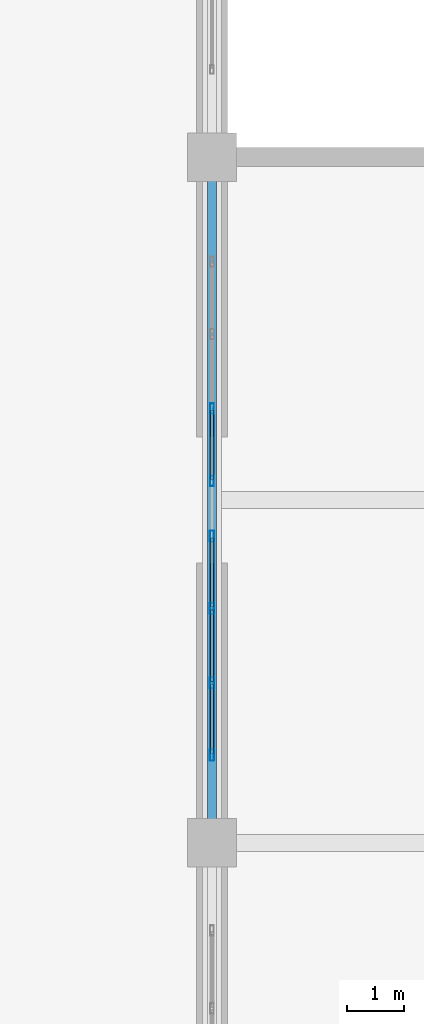
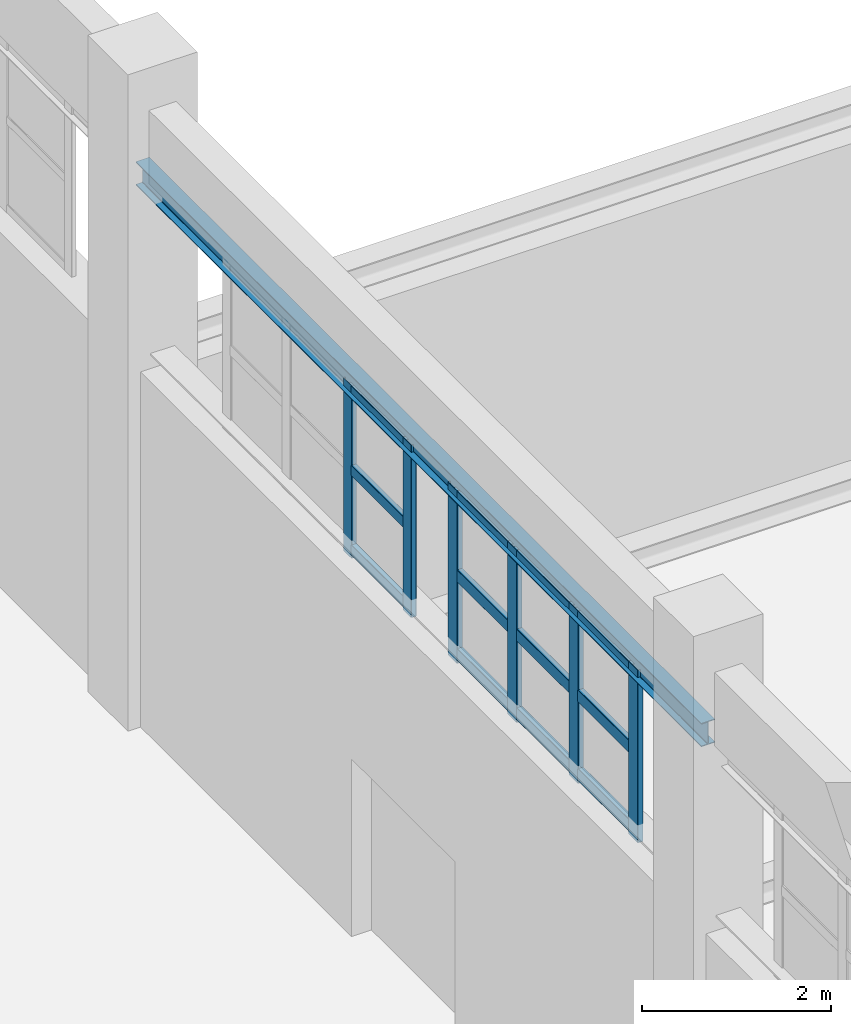
# One storey, part 55 of 97: 18 members, 1 beam, 2 elements without a shape of their own.
"""IFC4 building model written with IfcOpenShell, lengths in metres."""

import ifcopenshell
import ifcopenshell.guid

model = None  # the IFC model being written
_history = None  # IfcOwnerHistory: only IFC2X3 demands one
_inside = {}  # id of a spatial element -> (the spatial element, [elements in it])
_under = {}  # id of a project, library or spatial element -> (it, [spatial elements below it])
_declared = {}  # id of a project -> (the project, [libraries it declares])
_typed = {}  # id of a type object -> (the type object, [elements of that type])
_made_of = {}  # id of a material, layer set ... -> (it, [elements and type objects made of it])


def new_model(schema):
    """Start an empty IFC model of exactly this schema.

    Asked for "IFC4X3", IfcOpenShell would pick the latest addendum, in which some entities
    have other attributes; the version numbers below select the first issue.
    IFC2X3 requires an IfcOwnerHistory on every rooted entity: one is made here for all.
    """
    global model, _history
    if schema == "IFC4X3":
        model = ifcopenshell.file(schema_version=(4, 3, 0, 0))
    else:
        model = ifcopenshell.file(schema=schema)
    _inside.clear()
    _under.clear()
    _declared.clear()
    _typed.clear()
    _made_of.clear()
    _history = None
    if model.schema == "IFC2X3":
        org = make("IfcOrganization", Name="unknown")
        user = make(
            "IfcPersonAndOrganization",
            ThePerson=make("IfcPerson", FamilyName="unknown"),
            TheOrganization=org,
        )
        app = make(
            "IfcApplication",
            ApplicationDeveloper=org,
            Version="unknown",
            ApplicationFullName="unknown",
            ApplicationIdentifier="unknown",
        )
        _history = make(
            "IfcOwnerHistory",
            OwningUser=user,
            OwningApplication=app,
            ChangeAction="ADDED",
            CreationDate=0,
        )
    return model


def make(cls, **values):
    """One entity of the class cls with the attributes given. An attribute that is None is left unset."""
    return model.create_entity(
        cls, **{name: value for name, value in values.items() if value is not None}
    )


def rooted(cls, **values):
    """An entity with a GlobalId (a new one), such as an element, a storey or a relation."""
    return make(cls, GlobalId=ifcopenshell.guid.new(), OwnerHistory=_history, **values)


def si_unit(unit_type, name, prefix=None):
    """IfcSIUnit, for example si_unit("LENGTHUNIT", "METRE", prefix="MILLI")."""
    return make("IfcSIUnit", UnitType=unit_type, Prefix=prefix, Name=name)


def derived_unit(unit_type, elements):
    """IfcDerivedUnit: a product of units, each with its exponent."""
    return make(
        "IfcDerivedUnit",
        Elements=[
            make("IfcDerivedUnitElement", Unit=unit, Exponent=power)
            for unit, power in elements
        ],
        UnitType=unit_type,
    )


def assignment(units):
    """IfcUnitAssignment: the units of a project."""
    return None if units is None else make("IfcUnitAssignment", Units=units)


def point(xyz):
    """IfcCartesianPoint."""
    return None if xyz is None else make("IfcCartesianPoint", Coordinates=xyz)


def direction(xyz):
    """IfcDirection."""
    return None if xyz is None else make("IfcDirection", DirectionRatios=xyz)


def frame(location, z_axis=None, x_axis=None):
    """IfcAxis2Placement3D, a coordinate frame: its origin and axes. An axis left out is left unset."""
    return make(
        "IfcAxis2Placement3D",
        Location=point(location),
        Axis=direction(z_axis),
        RefDirection=direction(x_axis),
    )


def frame_2d(location, x_axis=None):
    """IfcAxis2Placement2D, a coordinate frame in the plane: its origin and x axis."""
    return make(
        "IfcAxis2Placement2D", Location=point(location), RefDirection=direction(x_axis)
    )


def origin():
    """The frame at (0, 0, 0) with its axes left unset."""
    return frame((0.0, 0.0, 0.0))


def origin_2d():
    """The frame at (0, 0) in the plane with its x axis left unset."""
    return frame_2d((0.0, 0.0))


def place(relative_to, where):
    """IfcLocalPlacement: puts the frame where relative to a parent placement (None: the world)."""
    return make(
        "IfcLocalPlacement", PlacementRelTo=relative_to, RelativePlacement=where
    )


def context(
    kind, dimensions, precision=None, world=None, true_north=None, identifier=None
):
    """IfcGeometricRepresentationContext, for example the 3D "Model" context."""
    return make(
        "IfcGeometricRepresentationContext",
        ContextIdentifier=identifier,
        ContextType=kind,
        CoordinateSpaceDimension=dimensions,
        Precision=precision,
        WorldCoordinateSystem=world,
        TrueNorth=true_north,
    )


def subcontext(parent, identifier, kind, view, scale=None):
    """IfcGeometricRepresentationSubContext, for example "Body" below "Model"."""
    return make(
        "IfcGeometricRepresentationSubContext",
        ContextIdentifier=identifier,
        ContextType=kind,
        ParentContext=parent,
        TargetScale=scale,
        TargetView=view,
    )


def project(units=None, contexts=None):
    """IfcProject with its units and contexts."""
    return rooted(
        "IfcProject",
        Name="project",
        RepresentationContexts=contexts,
        UnitsInContext=assignment(units),
    )


def spatial(cls, under=None, at=None, **own):
    """A site, building, storey or space (cls), placed at a placement, below another one or the project."""
    s = rooted(cls, ObjectPlacement=at, **own)
    if under is not None:
        _under.setdefault(under.id(), (under, []))[1].append(s)
    return s


def profile(cls, at=None, kind="AREA", **sizes):
    """A parametric profile (cls). Its sizes go by their IFC names, for example OverallWidth=200.0."""
    return make(cls, ProfileType=kind, Position=at, **sizes)


def hollow_rectangle(**sizes):
    """IfcRectangleHollowProfileDef."""
    return profile("IfcRectangleHollowProfileDef", **sizes)


def i_section(**sizes):
    """IfcIShapeProfileDef."""
    return profile("IfcIShapeProfileDef", **sizes)


def extrude(swept, where, along, depth):
    """IfcExtrudedAreaSolid: the profile swept, set in the frame where, extruded along a direction by depth."""
    return make(
        "IfcExtrudedAreaSolid",
        SweptArea=swept,
        Position=where,
        ExtrudedDirection=direction(along),
        Depth=depth,
    )


def shape(context_of_items, identifier, shape_type, items):
    """IfcShapeRepresentation: the items that make up one representation, for example the "Body"."""
    return make(
        "IfcShapeRepresentation",
        ContextOfItems=context_of_items,
        RepresentationIdentifier=identifier,
        RepresentationType=shape_type,
        Items=items,
    )


def material(Name=None, Category=None):
    """IfcMaterial."""
    return make("IfcMaterial", Name=Name, Category=Category)


def layer(
    of_material, thickness, ventilated=None, Name=None, Category=None, Priority=None
):
    """IfcMaterialLayer: one layer of a wall or slab, of a material (None: an air gap)."""
    return make(
        "IfcMaterialLayer",
        Material=of_material,
        LayerThickness=thickness,
        IsVentilated=ventilated,
        Name=Name,
        Category=Category,
        Priority=Priority,
    )


def layer_set(layers, Name=None):
    """IfcMaterialLayerSet."""
    return make("IfcMaterialLayerSet", MaterialLayers=layers, LayerSetName=Name)


def material_profile(
    of_material, cross_section, Name=None, Category=None, Priority=None
):
    """IfcMaterialProfile: a cross section and its material."""
    return make(
        "IfcMaterialProfile",
        Name=Name,
        Material=of_material,
        Profile=cross_section,
        Priority=Priority,
        Category=Category,
    )


def profile_set(profiles, Name=None, composite=None):
    """IfcMaterialProfileSet."""
    return make(
        "IfcMaterialProfileSet",
        Name=Name,
        MaterialProfiles=profiles,
        CompositeProfile=composite,
    )


def made_of(thing, what):
    """Note that an element or type object is made of a material, layer set ...; save() writes the relation."""
    if what is not None:
        _made_of.setdefault(what.id(), (what, []))[1].append(thing)
    return thing


def type_object(cls, material=None, **own):
    """A type object (cls), such as IfcWallType, which elements share."""
    return made_of(rooted(cls, **own), material)


def element(
    cls,
    number,
    at=None,
    inside=None,
    cuts=None,
    type_object=None,
    material=None,
    context=None,
    identifier="Body",
    shape_type=None,
    held_by="IfcProductDefinitionShape",
    body=None,
    shapes=None,
    **own,
):
    """One element of the class cls, such as IfcWall. Its Tag is "e" and its number.

    at: its placement. inside: the storey or other place that contains it. cuts: it is an
    opening in that element (IfcRelVoidsElement). A single representation is given by context,
    identifier, shape_type and body (its items); several are given by shapes. held_by: the class
    of the entity that holds the representations. save() writes the other relations.
    """
    e = rooted(cls, Tag="e%d" % number, ObjectPlacement=at, **own)
    if body is not None:
        shapes = [shape(context, identifier, shape_type, body)]
    if shapes is not None:
        e.Representation = make(held_by, Representations=shapes)
    if inside is not None:
        _inside.setdefault(inside.id(), (inside, []))[1].append(e)
    if cuts is not None:
        rooted(
            "IfcRelVoidsElement", RelatingBuildingElement=cuts, RelatedOpeningElement=e
        )
    if type_object is not None:
        _typed.setdefault(type_object.id(), (type_object, []))[1].append(e)
    return made_of(e, material)


def aggregate(whole, parts):
    """IfcRelAggregates: a whole, such as a stair, and the parts it consists of."""
    return rooted("IfcRelAggregates", RelatingObject=whole, RelatedObjects=parts)


def save(model, path):
    """Write the relations noted so far, then the file.

    IfcRelAggregates (storeys below a building ...), IfcRelContainedInSpatialStructure (elements
    in a storey), IfcRelDefinesByType, IfcRelAssociatesMaterial and IfcRelDeclares: one each for
    every whole, place, type object, material and project.
    """
    for whole, parts in _under.values():
        aggregate(whole, parts)
    for where, things in _inside.values():
        rooted(
            "IfcRelContainedInSpatialStructure",
            RelatedElements=things,
            RelatingStructure=where,
        )
    for kind, things in _typed.values():
        rooted("IfcRelDefinesByType", RelatedObjects=things, RelatingType=kind)
    for what, things in _made_of.values():
        rooted("IfcRelAssociatesMaterial", RelatedObjects=things, RelatingMaterial=what)
    for by, libraries in _declared.values():
        rooted("IfcRelDeclares", RelatingContext=by, RelatedDefinitions=libraries)
    model.write(path)


model = new_model("IFC4")

# Units and contexts
model_context = context("Model", 3, precision=1e-05, world=origin(), true_north=direction((0.0, 1.0)))
body_context = subcontext(model_context, "Body", "Model", "MODEL_VIEW")
ifc_project = project(units=[si_unit("LENGTHUNIT", "METRE"), si_unit("AREAUNIT", "SQUARE_METRE"), si_unit("VOLUMEUNIT", "CUBIC_METRE"), si_unit("PLANEANGLEUNIT", "RADIAN"), si_unit("MASSUNIT", "GRAM", prefix="KILO"), derived_unit("THERMALTRANSMITTANCEUNIT", [(si_unit("POWERUNIT", "WATT"), 1), (si_unit("LENGTHUNIT", "METRE"), -2), (si_unit("THERMODYNAMICTEMPERATUREUNIT", "KELVIN"), -1)])], contexts=[model_context])

# Site, building, storey
site_placement = place(None, origin())
site = spatial("IfcSite", under=ifc_project, at=site_placement, CompositionType="ELEMENT")
building_placement = place(site_placement, origin())
building = spatial("IfcBuilding", under=site, at=building_placement, Name="Almenara Railside Exhibition Hall", CompositionType="ELEMENT")
storey_placement = place(building_placement, frame((0.0, 0.0, 10.800048828125)))
storey = spatial("IfcBuildingStorey", under=building, at=storey_placement, Name="L02", CompositionType="ELEMENT", Elevation=10.800048828125)

# Curtain wall, members
ifc_material_1 = material(Name="Bronze-anodised aluminium and low-E double glazing", Category="aluminium")
ifc_layer = layer(ifc_material_1, 0.179931640625, Name="Bronze-anodised aluminium and low-E double glazing")
ifc_layer_set = layer_set([ifc_layer], Name="Bronze-anodised aluminium and low-E double glazing")
curtain_wall_type = type_object("IfcCurtainWallType", Name="West Hall Clerestory Curtain Wall 3900x2200", PredefinedType="NOTDEFINED", material=ifc_layer_set)
curtain_wall_1_placement = place(storey_placement, origin())
curtain_wall_1 = element("IfcCurtainWall", 1, at=curtain_wall_1_placement, inside=storey, type_object=curtain_wall_type, Name="Curtain wall CW-CL2-020", PredefinedType="NOTDEFINED")
ifc_material_2 = material(Name="Bronze-anodised aluminium", Category="aluminium")
ifc_material_profile_1 = material_profile(ifc_material_2, hollow_rectangle(XDim=0.06494140625, YDim=0.179931640625, WallThickness=0.00390625, InnerFilletRadius=0.00390625, OuterFilletRadius=0.008056640625, at=origin_2d()), Name="ALU-MUL 65x180x4")
ifc_profile_set_1 = profile_set([ifc_material_profile_1], Name="Bronze-anodised aluminium")
member_type_1 = type_object("IfcMemberType", Name="Curtain Wall Mullion 65x180x4", PredefinedType="MULLION", material=ifc_profile_set_1)
member_1_placement = place(storey_placement, frame((66.0, 102.33251953125, 4.56494140625), z_axis=(0.0, 0.0, 1.0), x_axis=(-1.0, 0.0, 0.0)))
member_1 = element("IfcMember", 2, at=member_1_placement, type_object=member_type_1, Name="CW-CL2-020 mullion 1", PredefinedType="MULLION", context=body_context, shape_type="SweptSolid", body=[
    extrude(hollow_rectangle(XDim=0.06494140625, YDim=0.179931640625, WallThickness=0.00390625, InnerFilletRadius=0.00390625, OuterFilletRadius=0.008056640625, at=origin_2d()), origin(), (0.0, 0.0, 1.0), 2.235107421875),
])
member_2_placement = place(storey_placement, frame((66.0, 103.60009765625, 4.56494140625), z_axis=(0.0, 0.0, 1.0), x_axis=(-1.0, 0.0, 0.0)))
member_2 = element("IfcMember", 3, at=member_2_placement, type_object=member_type_1, Name="CW-CL2-020 mullion 2", PredefinedType="MULLION", context=body_context, shape_type="SweptSolid", body=[
    extrude(hollow_rectangle(XDim=0.06494140625, YDim=0.179931640625, WallThickness=0.00390625, InnerFilletRadius=0.00390625, OuterFilletRadius=0.008056640625, at=origin_2d()), origin(), (0.0, 0.0, 1.0), 2.235107421875),
])

curtain_wall_2_placement = place(storey_placement, origin())
curtain_wall_2 = element("IfcCurtainWall", 4, at=curtain_wall_2_placement, inside=storey, type_object=curtain_wall_type, Name="Curtain wall CW-CL2-019", PredefinedType="NOTDEFINED")
ifc_material_profile_2 = material_profile(ifc_material_2, hollow_rectangle(XDim=0.070068359375, YDim=0.199951171875, WallThickness=0.00439453125, InnerFilletRadius=0.00439453125, OuterFilletRadius=0.009033203125, at=origin_2d()), Name="ALU-MUL 70x200x4.5")
ifc_profile_set_2 = profile_set([ifc_material_profile_2], Name="Bronze-anodised aluminium")
member_type_2 = type_object("IfcMemberType", Name="Curtain Wall Mullion 70x200x4.5", PredefinedType="MULLION", material=ifc_profile_set_2)
member_3_placement = place(storey_placement, frame((66.0, 97.534912109375, 4.56494140625), z_axis=(0.0, 0.0, 1.0), x_axis=(-1.0, 0.0, 0.0)))
member_3 = element("IfcMember", 5, at=member_3_placement, type_object=member_type_2, Name="CW-CL2-019 mullion 1", PredefinedType="MULLION", context=body_context, shape_type="SweptSolid", body=[
    extrude(hollow_rectangle(XDim=0.070068359375, YDim=0.199951171875, WallThickness=0.00439453125, InnerFilletRadius=0.00439453125, OuterFilletRadius=0.009033203125, at=origin_2d()), origin(), (0.0, 0.0, 1.0), 2.235107421875),
])
member_4_placement = place(storey_placement, frame((66.0, 98.800048828125, 4.56494140625), z_axis=(0.0, 0.0, 1.0), x_axis=(-1.0, 0.0, 0.0)))
member_4 = element("IfcMember", 6, at=member_4_placement, type_object=member_type_2, Name="CW-CL2-019 mullion 2", PredefinedType="MULLION", context=body_context, shape_type="SweptSolid", body=[
    extrude(hollow_rectangle(XDim=0.070068359375, YDim=0.199951171875, WallThickness=0.00439453125, InnerFilletRadius=0.00439453125, OuterFilletRadius=0.009033203125, at=origin_2d()), origin(), (0.0, 0.0, 1.0), 2.235107421875),
])
member_5_placement = place(storey_placement, frame((66.0, 100.10009765625, 4.56494140625), z_axis=(0.0, 0.0, 1.0), x_axis=(-1.0, 0.0, 0.0)))
member_5 = element("IfcMember", 7, at=member_5_placement, type_object=member_type_2, Name="CW-CL2-019 mullion 3", PredefinedType="MULLION", context=body_context, shape_type="SweptSolid", body=[
    extrude(hollow_rectangle(XDim=0.070068359375, YDim=0.199951171875, WallThickness=0.00439453125, InnerFilletRadius=0.00439453125, OuterFilletRadius=0.009033203125, at=origin_2d()), origin(), (0.0, 0.0, 1.0), 2.235107421875),
])
member_6_placement = place(storey_placement, frame((66.0, 101.364990234375, 4.56494140625), z_axis=(0.0, 0.0, 1.0), x_axis=(-1.0, 0.0, 0.0)))
member_6 = element("IfcMember", 8, at=member_6_placement, type_object=member_type_2, Name="CW-CL2-019 mullion 4", PredefinedType="MULLION", context=body_context, shape_type="SweptSolid", body=[
    extrude(hollow_rectangle(XDim=0.070068359375, YDim=0.199951171875, WallThickness=0.00439453125, InnerFilletRadius=0.00439453125, OuterFilletRadius=0.009033203125, at=origin_2d()), origin(), (0.0, 0.0, 1.0), 2.235107421875),
])

# Member
ifc_material_profile_3 = material_profile(ifc_material_2, hollow_rectangle(XDim=0.06494140625, YDim=0.139892578125, WallThickness=0.00341796875, InnerFilletRadius=0.00341796875, OuterFilletRadius=0.007080078125, at=origin_2d()), Name="ALU-TRN 65x140x3.5")
ifc_profile_set_3 = profile_set([ifc_material_profile_3], Name="Bronze-anodised aluminium")
member_type_3 = type_object("IfcMemberType", Name="Curtain Wall Transom 65x140x3.5", PredefinedType="USERDEFINED", material=ifc_profile_set_3)
member_7_placement = place(storey_placement, frame((66.0, 102.35693359375, 4.669921875), z_axis=(0.0, 1.0, 0.0), x_axis=(-1.0, 0.0, 0.0)))
member_7 = element("IfcMember", 9, at=member_7_placement, type_object=member_type_3, Name="CW-CL2-020 transom 1.1", ObjectType="TRANSOM", PredefinedType="USERDEFINED", context=body_context, shape_type="SweptSolid", body=[
    extrude(hollow_rectangle(XDim=0.06494140625, YDim=0.139892578125, WallThickness=0.00341796875, InnerFilletRadius=0.00341796875, OuterFilletRadius=0.007080078125, at=origin_2d()), origin(), (0.0, 0.0, 1.0), 1.218505859375),
])

member_8_placement = place(storey_placement, frame((66.0, 102.35693359375, 5.699951171875), z_axis=(0.0, 1.0, 0.0), x_axis=(-1.0, 0.0, 0.0)))
member_8 = element("IfcMember", 10, at=member_8_placement, type_object=member_type_3, Name="CW-CL2-020 transom 1.2", ObjectType="TRANSOM", PredefinedType="USERDEFINED", context=body_context, shape_type="SweptSolid", body=[
    extrude(hollow_rectangle(XDim=0.06494140625, YDim=0.139892578125, WallThickness=0.00341796875, InnerFilletRadius=0.00341796875, OuterFilletRadius=0.007080078125, at=origin_2d()), origin(), (0.0, 0.0, 1.0), 1.218505859375),
])

member_9_placement = place(storey_placement, frame((66.0, 102.35693359375, 6.72998046875), z_axis=(0.0, 1.0, 0.0), x_axis=(-1.0, 0.0, 0.0)))
member_9 = element("IfcMember", 11, at=member_9_placement, type_object=member_type_3, Name="CW-CL2-020 transom 1.3", ObjectType="TRANSOM", PredefinedType="USERDEFINED", context=body_context, shape_type="SweptSolid", body=[
    extrude(hollow_rectangle(XDim=0.06494140625, YDim=0.139892578125, WallThickness=0.00341796875, InnerFilletRadius=0.00341796875, OuterFilletRadius=0.007080078125, at=origin_2d()), origin(), (0.0, 0.0, 1.0), 1.218505859375),
])

aggregate(curtain_wall_1, [member_1, member_2, member_7, member_8, member_9])

ifc_material_profile_4 = material_profile(ifc_material_2, hollow_rectangle(XDim=0.070068359375, YDim=0.159912109375, WallThickness=0.00390625, InnerFilletRadius=0.00390625, OuterFilletRadius=0.008056640625, at=origin_2d()), Name="ALU-TRN 70x160x4")
ifc_profile_set_4 = profile_set([ifc_material_profile_4], Name="Bronze-anodised aluminium")
member_type_4 = type_object("IfcMemberType", Name="Curtain Wall Transom 70x160x4", PredefinedType="USERDEFINED", material=ifc_profile_set_4)
member_10_placement = place(storey_placement, frame((66.0, 97.56201171875, 4.679931640625), z_axis=(0.0, 1.0, 0.0), x_axis=(-1.0, 0.0, 0.0)))
member_10 = element("IfcMember", 12, at=member_10_placement, type_object=member_type_4, Name="CW-CL2-019 transom 1.1", ObjectType="TRANSOM", PredefinedType="USERDEFINED", context=body_context, shape_type="SweptSolid", body=[
    extrude(hollow_rectangle(XDim=0.070068359375, YDim=0.159912109375, WallThickness=0.00390625, InnerFilletRadius=0.00390625, OuterFilletRadius=0.008056640625, at=origin_2d()), origin(), (0.0, 0.0, 1.0), 1.2109375),
])

member_11_placement = place(storey_placement, frame((66.0, 97.56201171875, 5.699951171875), z_axis=(0.0, 1.0, 0.0), x_axis=(-1.0, 0.0, 0.0)))
member_11 = element("IfcMember", 13, at=member_11_placement, type_object=member_type_4, Name="CW-CL2-019 transom 1.2", ObjectType="TRANSOM", PredefinedType="USERDEFINED", context=body_context, shape_type="SweptSolid", body=[
    extrude(hollow_rectangle(XDim=0.070068359375, YDim=0.159912109375, WallThickness=0.00390625, InnerFilletRadius=0.00390625, OuterFilletRadius=0.008056640625, at=origin_2d()), origin(), (0.0, 0.0, 1.0), 1.2109375),
])

member_12_placement = place(storey_placement, frame((66.0, 97.56201171875, 6.719970703125), z_axis=(0.0, 1.0, 0.0), x_axis=(-1.0, 0.0, 0.0)))
member_12 = element("IfcMember", 14, at=member_12_placement, type_object=member_type_4, Name="CW-CL2-019 transom 1.3", ObjectType="TRANSOM", PredefinedType="USERDEFINED", context=body_context, shape_type="SweptSolid", body=[
    extrude(hollow_rectangle(XDim=0.070068359375, YDim=0.159912109375, WallThickness=0.00390625, InnerFilletRadius=0.00390625, OuterFilletRadius=0.008056640625, at=origin_2d()), origin(), (0.0, 0.0, 1.0), 1.2109375),
])

member_13_placement = place(storey_placement, frame((66.0, 98.826904296875, 4.679931640625), z_axis=(0.0, 1.0, 0.0), x_axis=(-1.0, 0.0, 0.0)))
member_13 = element("IfcMember", 15, at=member_13_placement, type_object=member_type_4, Name="CW-CL2-019 transom 2.1", ObjectType="TRANSOM", PredefinedType="USERDEFINED", context=body_context, shape_type="SweptSolid", body=[
    extrude(hollow_rectangle(XDim=0.070068359375, YDim=0.159912109375, WallThickness=0.00390625, InnerFilletRadius=0.00390625, OuterFilletRadius=0.008056640625, at=origin_2d()), origin(), (0.0, 0.0, 1.0), 1.24609375),
])

member_14_placement = place(storey_placement, frame((66.0, 98.826904296875, 5.699951171875), z_axis=(0.0, 1.0, 0.0), x_axis=(-1.0, 0.0, 0.0)))
member_14 = element("IfcMember", 16, at=member_14_placement, type_object=member_type_4, Name="CW-CL2-019 transom 2.2", ObjectType="TRANSOM", PredefinedType="USERDEFINED", context=body_context, shape_type="SweptSolid", body=[
    extrude(hollow_rectangle(XDim=0.070068359375, YDim=0.159912109375, WallThickness=0.00390625, InnerFilletRadius=0.00390625, OuterFilletRadius=0.008056640625, at=origin_2d()), origin(), (0.0, 0.0, 1.0), 1.24609375),
])

member_15_placement = place(storey_placement, frame((66.0, 98.826904296875, 6.719970703125), z_axis=(0.0, 1.0, 0.0), x_axis=(-1.0, 0.0, 0.0)))
member_15 = element("IfcMember", 17, at=member_15_placement, type_object=member_type_4, Name="CW-CL2-019 transom 2.3", ObjectType="TRANSOM", PredefinedType="USERDEFINED", context=body_context, shape_type="SweptSolid", body=[
    extrude(hollow_rectangle(XDim=0.070068359375, YDim=0.159912109375, WallThickness=0.00390625, InnerFilletRadius=0.00390625, OuterFilletRadius=0.008056640625, at=origin_2d()), origin(), (0.0, 0.0, 1.0), 1.24609375),
])

member_16_placement = place(storey_placement, frame((66.0, 100.126953125, 4.679931640625), z_axis=(0.0, 1.0, 0.0), x_axis=(-1.0, 0.0, 0.0)))
member_16 = element("IfcMember", 18, at=member_16_placement, type_object=member_type_4, Name="CW-CL2-019 transom 3.1", ObjectType="TRANSOM", PredefinedType="USERDEFINED", context=body_context, shape_type="SweptSolid", body=[
    extrude(hollow_rectangle(XDim=0.070068359375, YDim=0.159912109375, WallThickness=0.00390625, InnerFilletRadius=0.00390625, OuterFilletRadius=0.008056640625, at=origin_2d()), origin(), (0.0, 0.0, 1.0), 1.2109375),
])

member_17_placement = place(storey_placement, frame((66.0, 100.126953125, 5.699951171875), z_axis=(0.0, 1.0, 0.0), x_axis=(-1.0, 0.0, 0.0)))
member_17 = element("IfcMember", 19, at=member_17_placement, type_object=member_type_4, Name="CW-CL2-019 transom 3.2", ObjectType="TRANSOM", PredefinedType="USERDEFINED", context=body_context, shape_type="SweptSolid", body=[
    extrude(hollow_rectangle(XDim=0.070068359375, YDim=0.159912109375, WallThickness=0.00390625, InnerFilletRadius=0.00390625, OuterFilletRadius=0.008056640625, at=origin_2d()), origin(), (0.0, 0.0, 1.0), 1.2109375),
])

member_18_placement = place(storey_placement, frame((66.0, 100.126953125, 6.719970703125), z_axis=(0.0, 1.0, 0.0), x_axis=(-1.0, 0.0, 0.0)))
member_18 = element("IfcMember", 20, at=member_18_placement, type_object=member_type_4, Name="CW-CL2-019 transom 3.3", ObjectType="TRANSOM", PredefinedType="USERDEFINED", context=body_context, shape_type="SweptSolid", body=[
    extrude(hollow_rectangle(XDim=0.070068359375, YDim=0.159912109375, WallThickness=0.00390625, InnerFilletRadius=0.00390625, OuterFilletRadius=0.008056640625, at=origin_2d()), origin(), (0.0, 0.0, 1.0), 1.2109375),
])

aggregate(curtain_wall_2, [member_3, member_4, member_5, member_6, member_10, member_11, member_12, member_13, member_14, member_15, member_16, member_17, member_18])

# Beam
ifc_material_3 = material(Name="Structural steel S355JR", Category="steel")
ifc_material_profile_5 = material_profile(ifc_material_3, i_section(OverallWidth=0.1650390625, OverallDepth=0.303466796875, WebThickness=0.006103515625, FlangeThickness=0.01025390625, FilletRadius=0.0087890625, at=origin_2d()), Name="UB 305x165x40")
ifc_profile_set_5 = profile_set([ifc_material_profile_5], Name="Structural steel S355JR")
beam_type = type_object("IfcBeamType", Name="Steel Canopy Edge Spandrel UB 305x165x40 S355JR", PredefinedType="SPANDREL", material=ifc_profile_set_5)
beam_placement = place(storey_placement, frame((66.0, 96.0, 6.84814453125), z_axis=(0.0, 1.0, 0.0), x_axis=(-1.0, 0.0, 0.0)))
element("IfcBeam", 21, at=beam_placement, inside=storey, type_object=beam_type, Name="BM-CRNLNT-V1-66-96", PredefinedType="SPANDREL", context=body_context, shape_type="SweptSolid", body=[
    extrude(i_section(OverallWidth=0.1650390625, OverallDepth=0.303466796875, WebThickness=0.006103515625, FlangeThickness=0.01025390625, FilletRadius=0.0087890625, at=origin_2d()), origin(), (0.0, 0.0, 1.0), 12.0),
])

save(model, "model.ifc")
